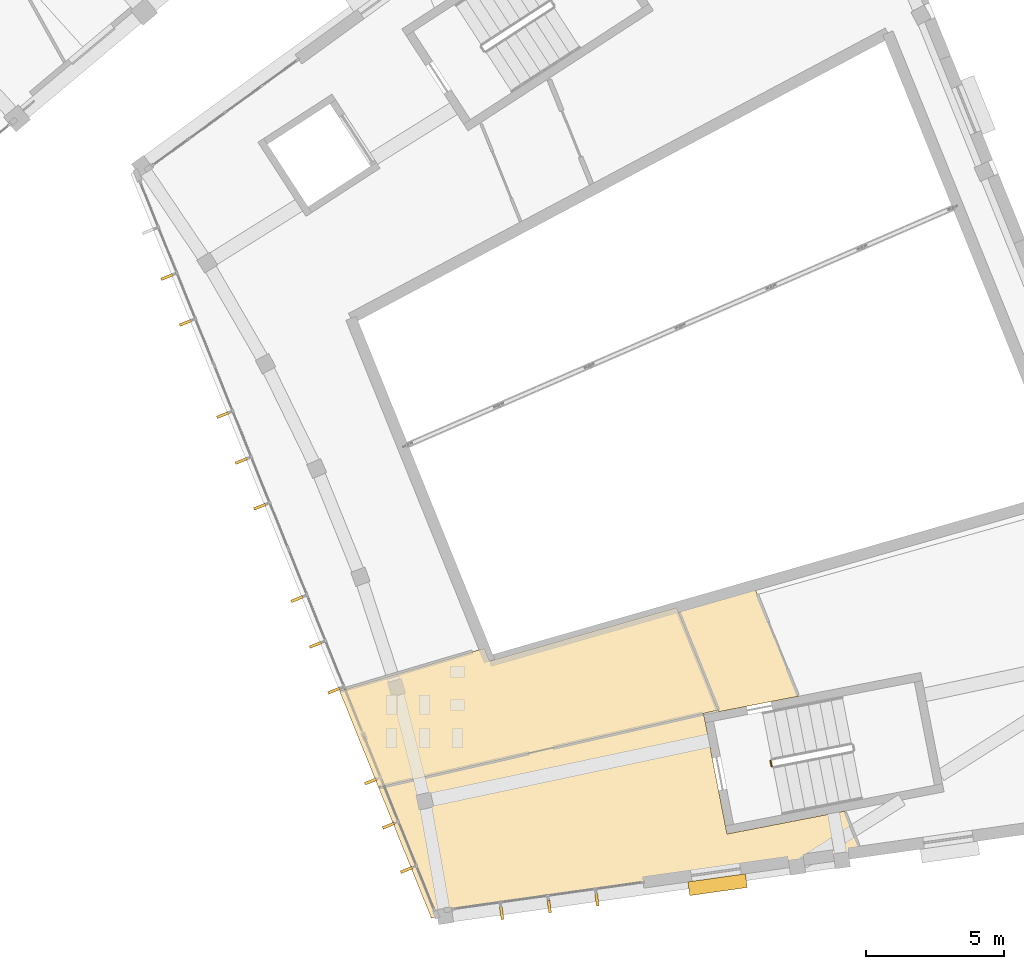
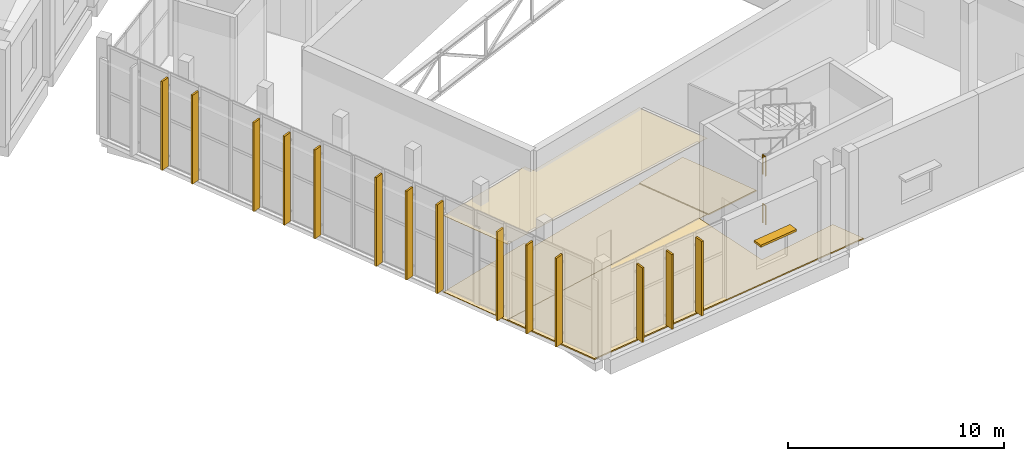
# One storey, part 100 of 112: 15 shading devices, 4 coverings, 2 railings.
"""IFC4 building model written with IfcOpenShell, lengths in metres."""

from ifc_helpers import new_model, si_unit, direction, frame, origin, origin_2d, place, context, subcontext, project, spatial, polyline, rectangle, circle, outline, extrude, material, layer, layer_set, type_object, element, save


model = new_model("IFC4")

# Units and contexts
model_context = context("Model", 3, precision=1e-05, world=origin(), true_north=direction((0.0, 1.0)))
body_context = subcontext(model_context, "Body", "Model", "MODEL_VIEW")
ifc_project = project(units=[si_unit("LENGTHUNIT", "METRE"), si_unit("AREAUNIT", "SQUARE_METRE"), si_unit("VOLUMEUNIT", "CUBIC_METRE"), si_unit("PLANEANGLEUNIT", "RADIAN"), si_unit("MASSUNIT", "GRAM", prefix="KILO")], contexts=[model_context])

# Site, building, storey
site_placement = place(None, origin())
site = spatial("IfcSite", under=ifc_project, at=site_placement, CompositionType="ELEMENT")
building_placement = place(site_placement, origin())
building = spatial("IfcBuilding", under=site, at=building_placement, Name="Lunette Opera House", CompositionType="ELEMENT")
storey_placement = place(building_placement, frame((0.0, 0.0, 6.0)))
storey = spatial("IfcBuildingStorey", under=building, at=storey_placement, Name="L01", CompositionType="ELEMENT", Elevation=6.0)

# Coverings
ifc_material_1 = material(Name="Cement screed")
ifc_layer_1 = layer(ifc_material_1, 0.070068359375)
ifc_layer_set_1 = layer_set([ifc_layer_1], Name="Cement screed")
covering_type_1 = type_object("IfcCoveringType", Name="SCREED FLOOR FINISH 70", PredefinedType="FLOORING", material=ifc_layer_set_1)
covering_1_placement = place(storey_placement, origin())
element("IfcCovering", 1, at=covering_1_placement, inside=storey, type_object=covering_type_1, Name="Floor finish Studio Corridor L01", PredefinedType="FLOORING", context=body_context, shape_type="SweptSolid", body=[
    extrude(outline(polyline([(168.10693359375, 10.134033203125), (155.416015625, 8.35009765625), (153.506103515625, 13.076904296875), (165.26708984375, 15.7509765625), (165.27587890625, 15.70703125), (166.114990234375, 11.387939453125), (167.491943359375, 11.656005859375), (168.89599609375, 11.927978515625), (170.3759765625, 12.216064453125), (170.596923828125, 11.6689453125), (171.050048828125, 10.548095703125), (168.10693359375, 10.134033203125)])), origin(), (0.0, 0.0, 1.0), 0.070068359375),
])
covering_2_placement = place(storey_placement, origin())
element("IfcCovering", 2, at=covering_2_placement, inside=storey, type_object=covering_type_1, Name="Floor finish Studio Corridor L01 South East", PredefinedType="FLOORING", context=body_context, shape_type="SweptSolid", body=[
    extrude(outline(polyline([(167.076904296875, 20.381103515625), (168.697021484375, 16.3720703125), (166.389892578125, 15.923095703125), (165.81298828125, 15.81103515625), (164.2900390625, 19.58203125), (167.076904296875, 20.381103515625)])), origin(), (0.0, 0.0, 1.0), 0.070068359375),
])

# Shading devices
ifc_material_2 = material(Name="Powder-coated aluminium", Category="aluminium")
shading_device_type_1 = type_object("IfcShadingDeviceType", Name="SOLAR FIN 100 X 450", PredefinedType="USERDEFINED", material=ifc_material_2)
for number, where, z_axis, x_axis, name in (
    (3, (145.847900390625, 31.5390625, 0.11474609375), (0.0, 0.0, 1.0), (-0.927168162269, -0.374645430874, 0.0), "Solar fin SB-X2008 2"),
    (4, (146.51806640625, 29.882080078125, 0.11474609375), (0.0, 0.0, 1.0), (-0.927168162269, -0.374645430874, 0.0), "Solar fin SB-X2008 3"),
    (5, (147.866943359375, 26.5419921875, 0.11474609375), (0.0, 0.0, 1.0), (-0.927187777387, -0.374596883949, 0.0), "Solar fin SB-X2009 1"),
    (6, (148.535888671875, 24.885009765625, 0.11474609375), (0.0, 0.0, 1.0), (-0.927187777387, -0.374596883949, 0.0), "Solar fin SB-X2009 2"),
    (7, (149.2060546875, 23.22900390625, 0.11474609375), (0.0, 0.0, 1.0), (-0.927187777387, -0.374596883949, 0.0), "Solar fin SB-X2009 3"),
    (8, (150.554931640625, 19.887939453125, 0.11474609375), (0.0, 0.0, 1.0), (-0.927168162269, -0.374645430874, 0.0), "Solar fin SB-X2010 1"),
    (9, (151.22412109375, 18.23193359375, 0.11474609375), (0.0, 0.0, 1.0), (-0.927168162269, -0.374645430874, 0.0), "Solar fin SB-X2010 2"),
    (10, (151.89404296875, 16.574951171875, 0.11474609375), (0.0, 0.0, 1.0), (-0.927168162269, -0.374645430874, 0.0), "Solar fin SB-X2010 3"),
    (11, (153.220947265625, 13.2900390625, 0.11474609375), (0.0, 0.0, 1.0), (-0.927182546937, -0.374609829896, 0.0), "Solar fin SB-X2011 1"),
    (12, (153.866943359375, 11.68994140625, 0.11474609375), (0.0, 0.0, 1.0), (-0.927182546937, -0.374609829896, 0.0), "Solar fin SB-X2011 2"),
    (13, (154.513916015625, 10.089111328125, 0.11474609375), (0.0, 0.0, 1.0), (-0.927182546937, -0.374609829896, 0.0), "Solar fin SB-X2011 3"),
):
    element("IfcShadingDevice", number, at=place(storey_placement, frame(where, z_axis=z_axis, x_axis=x_axis)), inside=storey, type_object=shading_device_type_1, Name=name, ObjectType="SOLAR FIN", PredefinedType="USERDEFINED", context=body_context, shape_type="SweptSolid", body=[
        extrude(rectangle(XDim=0.449951171875, YDim=0.10009765625, at=origin_2d()), origin(), (0.0, 0.0, 1.0), 5.014892578125),
    ])
for number, where, z_axis, x_axis, name in (
    (14, (157.9619140625, 8.52099609375, 0.115234375), (0.0, 0.0, 1.0), (0.139209396087, -0.990262967116, 0.0), "Solar fin SB-X2012 1"),
    (15, (159.68505859375, 8.762939453125, 0.115234375), (0.0, 0.0, 1.0), (0.139209396087, -0.990262967116, 0.0), "Solar fin SB-X2012 2"),
    (16, (161.408935546875, 9.006103515625, 0.115234375), (0.0, 0.0, 1.0), (0.139209396087, -0.990262967116, 0.0), "Solar fin SB-X2012 3"),
):
    element("IfcShadingDevice", number, at=place(storey_placement, frame(where, z_axis=z_axis, x_axis=x_axis)), inside=storey, type_object=shading_device_type_1, Name=name, ObjectType="SOLAR FIN", PredefinedType="USERDEFINED", context=body_context, shape_type="SweptSolid", body=[
        extrude(rectangle(XDim=0.449951171875, YDim=0.10009765625, at=origin_2d()), origin(), (0.0, 0.0, 1.0), 4.215087890625),
    ])

# Railings
ifc_material_3 = material(Name="Steel S355", Category="steel")
railing_type = type_object("IfcRailingType", Name="STAIR GUARD 1100", PredefinedType="GUARDRAIL", material=ifc_material_3)
for number, where, name in (
    (17, (167.726806640625, 13.840576171875, 2.75), "L01 ST22 stair guard 4"),
    (18, (167.726806640625, 13.840576171875, 0.0), "L01 ST22 stair guard 8"),
):
    element("IfcRailing", number, at=place(storey_placement, frame(where)), inside=storey, type_object=railing_type, Name=name, PredefinedType="GUARDRAIL", context=body_context, shape_type="SweptSolid", body=[
        extrude(circle(Radius=0.02392578125, at=origin_2d()), frame((0.0, 0.0, 1.076171875), z_axis=(-0.190706053889, 0.981647187644, 0.0), x_axis=(-0.981647187644, -0.190706053889, 0.0)), (0.0, 0.0, 1.0), 0.19970703125),
        extrude(circle(Radius=0.02099609375, at=origin_2d()), origin(), (0.0, 0.0, 1.0), 1.052001953125),
        extrude(circle(Radius=0.02099609375, at=origin_2d()), frame((-0.0380859375, 0.196044921875, 0.0)), (0.0, 0.0, 1.0), 1.052001953125),
    ])

# Coverings
ifc_material_4 = material(Name="Mineral fibre board")
ifc_layer_2 = layer(ifc_material_4, 0.014892578125)
ifc_layer_set_2 = layer_set([ifc_layer_2], Name="Mineral fibre board")
covering_type_2 = type_object("IfcCoveringType", Name="SUSPENDED ACOUSTIC CEILING 15", PredefinedType="CEILING", material=ifc_layer_set_2)
covering_3_placement = place(storey_placement, frame((0.0, 0.0, 4.31494140625)))
element("IfcCovering", 19, at=covering_3_placement, inside=storey, type_object=covering_type_2, Name="Ceiling Studio WC L01", PredefinedType="CEILING", context=body_context, shape_type="SweptSolid", body=[
    extrude(outline(polyline([(164.2900390625, 19.58203125), (165.7890625, 15.8701171875), (153.506103515625, 13.076904296875), (152.09912109375, 16.56005859375), (157.3330078125, 18.10498046875), (157.52099609375, 17.64111328125), (164.2900390625, 19.58203125)])), origin(), (0.0, 0.0, 1.0), 0.01513671875),
])
ifc_material_5 = material(Name="Ceramic tile")
ifc_layer_3 = layer(ifc_material_5, 0.02490234375)
ifc_layer_set_3 = layer_set([ifc_layer_3], Name="Ceramic tile")
covering_type_3 = type_object("IfcCoveringType", Name="TILED FLOOR FINISH 25", PredefinedType="FLOORING", material=ifc_layer_set_3)
covering_4_placement = place(storey_placement, origin())
element("IfcCovering", 20, at=covering_4_placement, inside=storey, type_object=covering_type_3, Name="Floor finish Studio WC L01", PredefinedType="FLOORING", context=body_context, shape_type="SweptSolid", body=[
    extrude(outline(polyline([(164.2900390625, 19.58203125), (165.7890625, 15.8701171875), (153.506103515625, 13.076904296875), (152.09912109375, 16.56005859375), (157.3330078125, 18.10498046875), (157.52099609375, 17.64111328125), (164.2900390625, 19.58203125)])), origin(), (0.0, 0.0, 1.0), 0.02490234375),
])

# Shading device
ifc_material_6 = material(Name="Powder-coated aluminium", Category="aluminium")
ifc_layer_4 = layer(ifc_material_6, 0.1201171875)
ifc_layer_set_4 = layer_set([ifc_layer_4], Name="Powder-coated aluminium")
shading_device_type_2 = type_object("IfcShadingDeviceType", Name="WINDOW HOOD 500 X 2100", PredefinedType="USERDEFINED", material=ifc_layer_set_4)
shading_device_placement = place(storey_placement, frame((165.77490234375, 9.553955078125, 2.579833984375), z_axis=(0.0, 0.0, 1.0), x_axis=(0.139288899045, -0.990251787478, 0.0)))
element("IfcShadingDevice", 21, at=shading_device_placement, inside=storey, type_object=shading_device_type_2, Name="Window hood SB-N2004", ObjectType="WINDOW HOOD", PredefinedType="USERDEFINED", context=body_context, shape_type="SweptSolid", body=[
    extrude(rectangle(XDim=0.5, YDim=2.10009765625, at=origin_2d()), origin(), (0.0, 0.0, 1.0), 0.1201171875),
])

save(model, "model.ifc")
